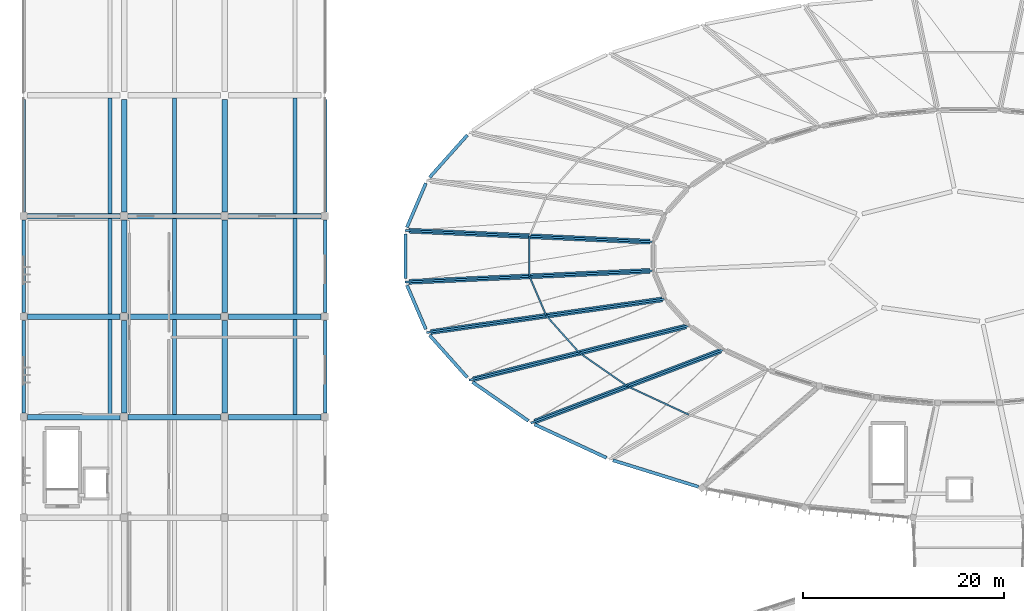
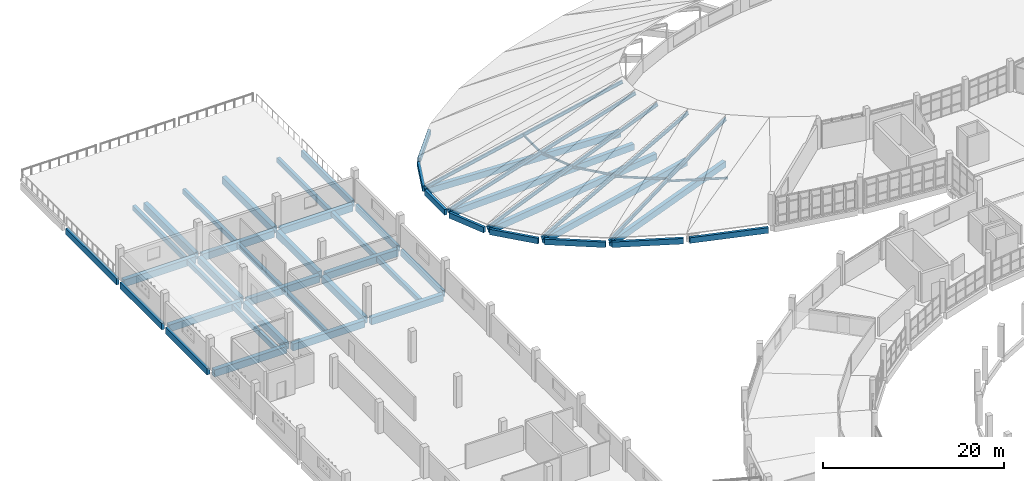
# One storey, part 24 of 142: 43 beams, 10 members.
"""IFC4 building model written with IfcOpenShell, lengths in metres."""

from ifc_helpers import new_model, si_unit, direction, frame, origin, origin_2d, place, context, subcontext, project, spatial, rectangle, i_section, extrude, material, material_profile, profile_set, type_object, element, save


model = new_model("IFC4")

# Units and contexts
model_context = context("Model", 3, precision=1e-05, world=origin(), true_north=direction((0.0, 1.0)))
body_context = subcontext(model_context, "Body", "Model", "MODEL_VIEW")
ifc_project = project(units=[si_unit("LENGTHUNIT", "METRE"), si_unit("AREAUNIT", "SQUARE_METRE"), si_unit("VOLUMEUNIT", "CUBIC_METRE"), si_unit("PLANEANGLEUNIT", "RADIAN"), si_unit("MASSUNIT", "GRAM", prefix="KILO")], contexts=[model_context])

# Site, building, storey
site_placement = place(None, origin())
site = spatial("IfcSite", under=ifc_project, at=site_placement, CompositionType="ELEMENT")
building_placement = place(site_placement, origin())
building = spatial("IfcBuilding", under=site, at=building_placement, Name="Corvandel Quay Wholesale Market", CompositionType="ELEMENT")
storey_placement = place(building_placement, frame((0.0, 0.0, 10.800048828125)))
storey = spatial("IfcBuildingStorey", under=building, at=storey_placement, Name="L02", CompositionType="ELEMENT", Elevation=10.800048828125)

# Beams
ifc_material_1 = material(Name="Precast concrete C45/55", Category="concrete")
ifc_material_profile_1 = material_profile(ifc_material_1, rectangle(XDim=0.550048828125, YDim=0.949951171875, at=origin_2d()), Name="PC-GIR-550x950")
ifc_profile_set_1 = profile_set([ifc_material_profile_1], Name="Precast concrete C45/55")
beam_type_1 = type_object("IfcBeamType", Name="Cold Store Floor Girder G02 550x950", PredefinedType="USERDEFINED", material=ifc_profile_set_1)
for number, where, z_axis, x_axis, name in (
    (1, (20.39501953125, 100.0, -0.795166015625), (1.0, 0.0, 0.0), (0.0, 1.0, 0.0), "Beam BM-1176"),
    (2, (30.39501953125, 100.0, -0.795166015625), (1.0, 0.0, 0.0), (0.0, 1.0, 0.0), "Beam BM-1177"),
    (3, (40.39501953125, 100.0, -0.795166015625), (1.0, 0.0, 0.0), (0.0, 1.0, 0.0), "Beam BM-1178"),
    (4, (20.39501953125, 110.0, -0.795166015625), (1.0, 0.0, 0.0), (0.0, 1.0, 0.0), "Beam BM-1179"),
    (5, (30.39501953125, 110.0, -0.795166015625), (1.0, 0.0, 0.0), (0.0, 1.0, 0.0), "Beam BM-1180"),
    (6, (40.39501953125, 110.0, -0.795166015625), (1.0, 0.0, 0.0), (0.0, 1.0, 0.0), "Beam BM-1181"),
    (7, (20.39501953125, 120.0, -0.795166015625), (1.0, 0.0, 0.0), (0.0, 1.0, 0.0), "Beam BM-1182"),
    (8, (30.39501953125, 120.0, -0.795166015625), (1.0, 0.0, 0.0), (0.0, 1.0, 0.0), "Beam BM-1183"),
    (9, (40.39501953125, 120.0, -0.795166015625), (1.0, 0.0, 0.0), (0.0, 1.0, 0.0), "Beam BM-1184"),
    (10, (30.0, 100.39501953125, -0.795166015625), (0.0, 1.0, 0.0), (-1.0, 0.0, 0.0), "Beam BM-1213"),
    (11, (30.0, 110.39501953125, -0.795166015625), (0.0, 1.0, 0.0), (-1.0, 0.0, 0.0), "Beam BM-1214"),
):
    element("IfcBeam", number, at=place(storey_placement, frame(where, z_axis=z_axis, x_axis=x_axis)), inside=storey, type_object=beam_type_1, Name=name, ObjectType="GIRDER", PredefinedType="USERDEFINED", context=body_context, shape_type="SweptSolid", body=[
        extrude(rectangle(XDim=0.550048828125, YDim=0.949951171875, at=origin_2d()), origin(), (0.0, 0.0, 1.0), 9.2099609375),
    ])
beam_1_placement = place(storey_placement, frame((30.0, 120.39501953125, -0.795166015625), z_axis=(0.0, 1.0, 0.0), x_axis=(-1.0, 0.0, 0.0)))
element("IfcBeam", 12, at=beam_1_placement, inside=storey, type_object=beam_type_1, Name="Beam BM-1215", ObjectType="GIRDER", PredefinedType="USERDEFINED", context=body_context, shape_type="SweptSolid", body=[
    extrude(rectangle(XDim=0.550048828125, YDim=0.949951171875, at=origin_2d()), origin(), (0.0, 0.0, 1.0), 11.2099609375),
])
for number, where, z_axis, x_axis, name in (
    (13, (40.0, 100.39501953125, -0.795166015625), (0.0, 1.0, 0.0), (-1.0, 0.0, 0.0), "Beam BM-1226"),
    (14, (40.0, 110.39501953125, -0.795166015625), (0.0, 1.0, 0.0), (-1.0, 0.0, 0.0), "Beam BM-1227"),
):
    element("IfcBeam", number, at=place(storey_placement, frame(where, z_axis=z_axis, x_axis=x_axis)), inside=storey, type_object=beam_type_1, Name=name, ObjectType="GIRDER", PredefinedType="USERDEFINED", context=body_context, shape_type="SweptSolid", body=[
        extrude(rectangle(XDim=0.550048828125, YDim=0.949951171875, at=origin_2d()), origin(), (0.0, 0.0, 1.0), 9.2099609375),
    ])
beam_2_placement = place(storey_placement, frame((40.0, 120.39501953125, -0.795166015625), z_axis=(0.0, 1.0, 0.0), x_axis=(-1.0, 0.0, 0.0)))
element("IfcBeam", 15, at=beam_2_placement, inside=storey, type_object=beam_type_1, Name="Beam BM-1228", ObjectType="GIRDER", PredefinedType="USERDEFINED", context=body_context, shape_type="SweptSolid", body=[
    extrude(rectangle(XDim=0.550048828125, YDim=0.949951171875, at=origin_2d()), origin(), (0.0, 0.0, 1.0), 11.2099609375),
])
ifc_material_profile_2 = material_profile(ifc_material_1, rectangle(XDim=0.39990234375, YDim=0.64990234375, at=origin_2d()), Name="PC-BM-400x650")
ifc_profile_set_2 = profile_set([ifc_material_profile_2], Name="Precast concrete C45/55")
beam_type_2 = type_object("IfcBeamType", Name="Cold Store Secondary Beam B01 400x650", PredefinedType="BEAM", material=ifc_profile_set_2)
for number, where, z_axis, x_axis, name in (
    (16, (28.60009765625, 100.264892578125, -0.64501953125), (0.0, 1.0, 0.0), (-1.0, 0.0, 0.0), "Beam BM-1252"),
    (17, (28.60009765625, 110.264892578125, -0.64501953125), (0.0, 1.0, 0.0), (-1.0, 0.0, 0.0), "Beam BM-1253"),
):
    element("IfcBeam", number, at=place(storey_placement, frame(where, z_axis=z_axis, x_axis=x_axis)), inside=storey, type_object=beam_type_2, Name=name, PredefinedType="BEAM", context=body_context, shape_type="SweptSolid", body=[
        extrude(rectangle(XDim=0.39990234375, YDim=0.64990234375, at=origin_2d()), origin(), (0.0, 0.0, 1.0), 9.47021484375),
    ])
beam_3_placement = place(storey_placement, frame((28.60009765625, 120.264892578125, -0.64501953125), z_axis=(0.0, 1.0, 0.0), x_axis=(-1.0, 0.0, 0.0)))
element("IfcBeam", 18, at=beam_3_placement, inside=storey, type_object=beam_type_2, Name="Beam BM-1254", PredefinedType="BEAM", context=body_context, shape_type="SweptSolid", body=[
    extrude(rectangle(XDim=0.39990234375, YDim=0.64990234375, at=origin_2d()), origin(), (0.0, 0.0, 1.0), 11.47021484375),
])
for number, where, z_axis, x_axis, name in (
    (19, (35.0, 100.264892578125, -0.64501953125), (0.0, 1.0, 0.0), (-1.0, 0.0, 0.0), "Beam BM-1265"),
    (20, (35.0, 110.264892578125, -0.64501953125), (0.0, 1.0, 0.0), (-1.0, 0.0, 0.0), "Beam BM-1266"),
):
    element("IfcBeam", number, at=place(storey_placement, frame(where, z_axis=z_axis, x_axis=x_axis)), inside=storey, type_object=beam_type_2, Name=name, PredefinedType="BEAM", context=body_context, shape_type="SweptSolid", body=[
        extrude(rectangle(XDim=0.39990234375, YDim=0.64990234375, at=origin_2d()), origin(), (0.0, 0.0, 1.0), 9.47021484375),
    ])
beam_4_placement = place(storey_placement, frame((35.0, 120.264892578125, -0.64501953125), z_axis=(0.0, 1.0, 0.0), x_axis=(-1.0, 0.0, 0.0)))
element("IfcBeam", 21, at=beam_4_placement, inside=storey, type_object=beam_type_2, Name="Beam BM-1267", PredefinedType="BEAM", context=body_context, shape_type="SweptSolid", body=[
    extrude(rectangle(XDim=0.39990234375, YDim=0.64990234375, at=origin_2d()), origin(), (0.0, 0.0, 1.0), 11.47021484375),
])
for number, where, z_axis, x_axis, name in (
    (22, (47.0, 100.264892578125, -0.64501953125), (0.0, 1.0, 0.0), (-1.0, 0.0, 0.0), "Beam BM-1278"),
    (23, (47.0, 110.264892578125, -0.64501953125), (0.0, 1.0, 0.0), (-1.0, 0.0, 0.0), "Beam BM-1279"),
):
    element("IfcBeam", number, at=place(storey_placement, frame(where, z_axis=z_axis, x_axis=x_axis)), inside=storey, type_object=beam_type_2, Name=name, PredefinedType="BEAM", context=body_context, shape_type="SweptSolid", body=[
        extrude(rectangle(XDim=0.39990234375, YDim=0.64990234375, at=origin_2d()), origin(), (0.0, 0.0, 1.0), 9.47021484375),
    ])
beam_5_placement = place(storey_placement, frame((47.0, 120.264892578125, -0.64501953125), z_axis=(0.0, 1.0, 0.0), x_axis=(-1.0, 0.0, 0.0)))
element("IfcBeam", 24, at=beam_5_placement, inside=storey, type_object=beam_type_2, Name="Beam BM-1280", PredefinedType="BEAM", context=body_context, shape_type="SweptSolid", body=[
    extrude(rectangle(XDim=0.39990234375, YDim=0.64990234375, at=origin_2d()), origin(), (0.0, 0.0, 1.0), 11.47021484375),
])
ifc_material_profile_3 = material_profile(ifc_material_1, rectangle(XDim=0.5, YDim=0.85009765625, at=origin_2d()), Name="PC-GIR-500x850")
ifc_profile_set_3 = profile_set([ifc_material_profile_3], Name="Precast concrete C45/55")
beam_type_3 = type_object("IfcBeamType", Name="Fish Hall Radial Girder G04 500x850", PredefinedType="USERDEFINED", material=ifc_profile_set_3)
for number, where, z_axis, x_axis, name in (
    (25, (58.344482421875, 118.545166015625, -0.7451171875), (0.998955516786, -0.04569327612, 0.0), (0.04569327612, 0.998955516786, 0.0), "Beam BM-0631"),
    (26, (58.344482421875, 113.454833984375, -0.7451171875), (0.998955516786, 0.04569327612, 0.0), (-0.04569327612, 0.998955516786, 0.0), "Beam BM-0638"),
):
    element("IfcBeam", number, at=place(storey_placement, frame(where, z_axis=z_axis, x_axis=x_axis)), inside=storey, type_object=beam_type_3, Name=name, ObjectType="GIRDER", PredefinedType="USERDEFINED", context=body_context, shape_type="SweptSolid", body=[
        extrude(rectangle(XDim=0.5, YDim=0.85009765625, at=origin_2d()), origin(), (0.0, 0.0, 1.0), 24.0009765625),
    ])
beam_6_placement = place(storey_placement, frame((60.49365234375, 108.464111328125, -0.7451171875), z_axis=(0.990225913062, 0.139472725293, 0.0), x_axis=(-0.139472725293, 0.990225913062, 0.0)))
element("IfcBeam", 27, at=beam_6_placement, inside=storey, type_object=beam_type_3, Name="Beam BM-0645", ObjectType="GIRDER", PredefinedType="USERDEFINED", context=body_context, shape_type="SweptSolid", body=[
    extrude(rectangle(XDim=0.5, YDim=0.85009765625, at=origin_2d()), origin(), (0.0, 0.0, 1.0), 23.26171875),
])
beam_7_placement = place(storey_placement, frame((64.707763671875, 103.76708984375, -0.7451171875), z_axis=(0.970560046858, 0.240859285566, 0.0), x_axis=(-0.240859285566, 0.970560046858, 0.0)))
element("IfcBeam", 28, at=beam_7_placement, inside=storey, type_object=beam_type_3, Name="Beam BM-0652", ObjectType="GIRDER", PredefinedType="USERDEFINED", context=body_context, shape_type="SweptSolid", body=[
    extrude(rectangle(XDim=0.5, YDim=0.85009765625, at=origin_2d()), origin(), (0.0, 0.0, 1.0), 21.83349609375),
])
beam_8_placement = place(storey_placement, frame((70.824462890625, 99.548828125, -0.7451171875), z_axis=(0.934456894514, 0.356076273142, 0.0), x_axis=(-0.356076273142, 0.934456894514, 0.0)))
element("IfcBeam", 29, at=beam_8_placement, inside=storey, type_object=beam_type_3, Name="Beam BM-0659", ObjectType="GIRDER", PredefinedType="USERDEFINED", context=body_context, shape_type="SweptSolid", body=[
    extrude(rectangle(XDim=0.5, YDim=0.85009765625, at=origin_2d()), origin(), (0.0, 0.0, 1.0), 19.81640625),
])
ifc_material_profile_4 = material_profile(ifc_material_1, rectangle(XDim=0.320068359375, YDim=0.75, at=origin_2d()), Name="PC-SPN-320x750")
ifc_profile_set_4 = profile_set([ifc_material_profile_4], Name="Precast concrete C45/55")
beam_type_4 = type_object("IfcBeamType", Name="Pavilion Precast Spandrel SP02 320x750", PredefinedType="SPANDREL", material=ifc_profile_set_4)
beam_9_placement = place(storey_placement, frame((64.143310546875, 128.05859375, -0.695068359375), z_axis=(-0.665671423717, -0.746244970266, 0.0), x_axis=(0.746244970266, -0.665671423717, 0.0)))
element("IfcBeam", 30, at=beam_9_placement, inside=storey, type_object=beam_type_4, Name="Beam BM-0615", PredefinedType="SPANDREL", context=body_context, shape_type="SweptSolid", body=[
    extrude(rectangle(XDim=0.320068359375, YDim=0.75, at=origin_2d()), origin(), (0.0, 0.0, 1.0), 5.651123046875),
])
beam_10_placement = place(storey_placement, frame((60.01611328125, 123.266845703125, -0.695068359375), z_axis=(-0.393789694197, -0.919200563938, 0.0), x_axis=(0.919200563938, -0.393789694197, 0.0)))
element("IfcBeam", 31, at=beam_10_placement, inside=storey, type_object=beam_type_4, Name="Beam BM-0622", PredefinedType="SPANDREL", context=body_context, shape_type="SweptSolid", body=[
    extrude(rectangle(XDim=0.320068359375, YDim=0.75, at=origin_2d()), origin(), (0.0, 0.0, 1.0), 4.7744140625),
])
beam_11_placement = place(storey_placement, frame((58.0, 118.216064453125, -0.695068359375), z_axis=(0.0, -1.0, 0.0), x_axis=(1.0, 0.0, 0.0)))
element("IfcBeam", 32, at=beam_11_placement, inside=storey, type_object=beam_type_4, Name="Beam BM-0629", PredefinedType="SPANDREL", context=body_context, shape_type="SweptSolid", body=[
    extrude(rectangle(XDim=0.320068359375, YDim=0.75, at=origin_2d()), origin(), (0.0, 0.0, 1.0), 4.43212890625),
])
beam_12_placement = place(storey_placement, frame((58.135986328125, 113.121826171875, -0.695068359375), z_axis=(0.393789694197, -0.919200563938, 0.0), x_axis=(0.919200563938, 0.393789694197, 0.0)))
element("IfcBeam", 33, at=beam_12_placement, inside=storey, type_object=beam_type_4, Name="Beam BM-0636", PredefinedType="SPANDREL", context=body_context, shape_type="SweptSolid", body=[
    extrude(rectangle(XDim=0.320068359375, YDim=0.75, at=origin_2d()), origin(), (0.0, 0.0, 1.0), 4.7744140625),
])
beam_13_placement = place(storey_placement, frame((60.381591796875, 108.158447265625, -0.695068359375), z_axis=(0.665671423717, -0.746244970266, 0.0), x_axis=(0.746244970266, 0.665671423717, 0.0)))
element("IfcBeam", 34, at=beam_13_placement, inside=storey, type_object=beam_type_4, Name="Beam BM-0643", PredefinedType="SPANDREL", context=body_context, shape_type="SweptSolid", body=[
    extrude(rectangle(XDim=0.320068359375, YDim=0.75, at=origin_2d()), origin(), (0.0, 0.0, 1.0), 5.651123046875),
])
beam_14_placement = place(storey_placement, frame((64.65625, 103.4873046875, -0.695068359375), z_axis=(0.821255489916, -0.570560619289, 0.0), x_axis=(0.570560619289, 0.821255489916, 0.0)))
element("IfcBeam", 35, at=beam_14_placement, inside=storey, type_object=beam_type_4, Name="Beam BM-0650", PredefinedType="SPANDREL", context=body_context, shape_type="SweptSolid", body=[
    extrude(rectangle(XDim=0.320068359375, YDim=0.75, at=origin_2d()), origin(), (0.0, 0.0, 1.0), 6.773193359375),
])
beam_15_placement = place(storey_placement, frame((70.81494140625, 99.28076171875, -0.695068359375), z_axis=(0.906974018607, -0.421186573351, 0.0), x_axis=(0.421186573351, 0.906974018607, 0.0)))
element("IfcBeam", 36, at=beam_15_placement, inside=storey, type_object=beam_type_4, Name="Beam BM-0657", PredefinedType="SPANDREL", context=body_context, shape_type="SweptSolid", body=[
    extrude(rectangle(XDim=0.320068359375, YDim=0.75, at=origin_2d()), origin(), (0.0, 0.0, 1.0), 7.909912109375),
])
beam_16_placement = place(storey_placement, frame((78.631591796875, 95.701904296875, -0.695068359375), z_axis=(0.95510610539, -0.296263948949, 0.0), x_axis=(0.296263948949, 0.95510610539, 0.0)))
element("IfcBeam", 37, at=beam_16_placement, inside=storey, type_object=beam_type_4, Name="Beam BM-0664", PredefinedType="SPANDREL", context=body_context, shape_type="SweptSolid", body=[
    extrude(rectangle(XDim=0.320068359375, YDim=0.75, at=origin_2d()), origin(), (0.0, 0.0, 1.0), 8.9130859375),
])
ifc_material_profile_5 = material_profile(ifc_material_1, rectangle(XDim=0.35009765625, YDim=0.85009765625, at=origin_2d()), Name="PC-SPN-350x850")
ifc_profile_set_5 = profile_set([ifc_material_profile_5], Name="Precast concrete C45/55")
beam_type_5 = type_object("IfcBeamType", Name="Perimeter Precast Spandrel SP01 350x850", PredefinedType="SPANDREL", material=ifc_profile_set_5)
for number, where, z_axis, x_axis, name in (
    (38, (20.0, 100.39501953125, -0.7451171875), (0.0, 1.0, 0.0), (-1.0, 0.0, 0.0), "Beam BM-1200"),
    (39, (20.0, 110.39501953125, -0.7451171875), (0.0, 1.0, 0.0), (-1.0, 0.0, 0.0), "Beam BM-1201"),
):
    element("IfcBeam", number, at=place(storey_placement, frame(where, z_axis=z_axis, x_axis=x_axis)), inside=storey, type_object=beam_type_5, Name=name, PredefinedType="SPANDREL", context=body_context, shape_type="SweptSolid", body=[
        extrude(rectangle(XDim=0.35009765625, YDim=0.85009765625, at=origin_2d()), origin(), (0.0, 0.0, 1.0), 9.2099609375),
    ])
beam_17_placement = place(storey_placement, frame((20.0, 120.39501953125, -0.7451171875), z_axis=(0.0, 1.0, 0.0), x_axis=(-1.0, 0.0, 0.0)))
element("IfcBeam", 40, at=beam_17_placement, inside=storey, type_object=beam_type_5, Name="Beam BM-1202", PredefinedType="SPANDREL", context=body_context, shape_type="SweptSolid", body=[
    extrude(rectangle(XDim=0.35009765625, YDim=0.85009765625, at=origin_2d()), origin(), (0.0, 0.0, 1.0), 11.2099609375),
])
for number, where, z_axis, x_axis, name in (
    (41, (50.0, 100.39501953125, -0.7451171875), (0.0, 1.0, 0.0), (-1.0, 0.0, 0.0), "Beam BM-1239"),
    (42, (50.0, 110.39501953125, -0.7451171875), (0.0, 1.0, 0.0), (-1.0, 0.0, 0.0), "Beam BM-1240"),
):
    element("IfcBeam", number, at=place(storey_placement, frame(where, z_axis=z_axis, x_axis=x_axis)), inside=storey, type_object=beam_type_5, Name=name, PredefinedType="SPANDREL", context=body_context, shape_type="SweptSolid", body=[
        extrude(rectangle(XDim=0.35009765625, YDim=0.85009765625, at=origin_2d()), origin(), (0.0, 0.0, 1.0), 9.2099609375),
    ])
beam_18_placement = place(storey_placement, frame((50.0, 120.39501953125, -0.7451171875), z_axis=(0.0, 1.0, 0.0), x_axis=(-1.0, 0.0, 0.0)))
element("IfcBeam", 43, at=beam_18_placement, inside=storey, type_object=beam_type_5, Name="Beam BM-1241", PredefinedType="SPANDREL", context=body_context, shape_type="SweptSolid", body=[
    extrude(rectangle(XDim=0.35009765625, YDim=0.85009765625, at=origin_2d()), origin(), (0.0, 0.0, 1.0), 11.2099609375),
])

# Members
ifc_material_2 = material(Name="Steel A992 Grade 50", Category="steel")
ifc_material_profile_6 = material_profile(ifc_material_2, i_section(OverallWidth=0.14697265625, OverallDepth=0.261962890625, WebThickness=0.006591796875, FlangeThickness=0.01123046875, at=origin_2d()), Name="W10X26")
ifc_profile_set_6 = profile_set([ifc_material_profile_6], Name="Steel A992 Grade 50")
member_type_1 = type_object("IfcMemberType", Name="Roof Clerestory Purlin Rafter RF03 W10X26", PredefinedType="RAFTER", material=ifc_profile_set_6)
member_1_placement = place(storey_placement, frame((70.320068359375, 117.99755859375, 2.823974609375), z_axis=(0.0, -1.0, 0.0), x_axis=(1.0, 0.0, 0.0)))
element("IfcMember", 44, at=member_1_placement, inside=storey, type_object=member_type_1, Name="Member MEM-0030", PredefinedType="RAFTER", context=body_context, shape_type="SweptSolid", body=[
    extrude(i_section(OverallWidth=0.14697265625, OverallDepth=0.261962890625, WebThickness=0.006591796875, FlangeThickness=0.01123046875, at=origin_2d()), origin(), (0.0, 0.0, 1.0), 3.9951171875),
])
member_2_placement = place(storey_placement, frame((70.320068359375, 114.00244140625, 2.823974609375), z_axis=(0.393787949611, -0.919201311325, 0.0), x_axis=(0.919201311325, 0.393787949611, 0.0)))
element("IfcMember", 45, at=member_2_placement, inside=storey, type_object=member_type_1, Name="Member MEM-0033", PredefinedType="RAFTER", context=body_context, shape_type="SweptSolid", body=[
    extrude(i_section(OverallWidth=0.14697265625, OverallDepth=0.261962890625, WebThickness=0.006591796875, FlangeThickness=0.01123046875, at=origin_2d()), origin(), (0.0, 0.0, 1.0), 4.262451171875),
])
member_3_placement = place(storey_placement, frame((71.99853515625, 110.08447265625, 2.724853515625), z_axis=(0.665680230442, -0.746237114327, 0.0), x_axis=(0.746237114327, 0.665680230442, 0.0)))
element("IfcMember", 46, at=member_3_placement, inside=storey, type_object=member_type_1, Name="Member MEM-0036", PredefinedType="RAFTER", context=body_context, shape_type="SweptSolid", body=[
    extrude(i_section(OverallWidth=0.14697265625, OverallDepth=0.261962890625, WebThickness=0.006591796875, FlangeThickness=0.01123046875, at=origin_2d()), origin(), (0.0, 0.0, 1.0), 4.946044921875),
])
member_4_placement = place(storey_placement, frame((75.291015625, 106.3935546875, 2.533935546875), z_axis=(0.821270064724, -0.57053963998, 0.0), x_axis=(0.57053963998, 0.821270064724, 0.0)))
element("IfcMember", 47, at=member_4_placement, inside=storey, type_object=member_type_1, Name="Member MEM-0039", PredefinedType="RAFTER", context=body_context, shape_type="SweptSolid", body=[
    extrude(i_section(OverallWidth=0.14697265625, OverallDepth=0.261962890625, WebThickness=0.006591796875, FlangeThickness=0.01123046875, at=origin_2d()), origin(), (0.0, 0.0, 1.0), 5.82080078125),
])
member_5_placement = place(storey_placement, frame((80.071533203125, 103.072509765625, 2.263916015625), z_axis=(0.906995065636, -0.421141248173, 0.0), x_axis=(0.421141248173, 0.906995065636, 0.0)))
element("IfcMember", 48, at=member_5_placement, inside=storey, type_object=member_type_1, Name="Member MEM-0042", PredefinedType="RAFTER", context=body_context, shape_type="SweptSolid", body=[
    extrude(i_section(OverallWidth=0.14697265625, OverallDepth=0.261962890625, WebThickness=0.006591796875, FlangeThickness=0.01123046875, at=origin_2d()), origin(), (0.0, 0.0, 1.0), 6.707763671875),
])
ifc_material_profile_7 = material_profile(ifc_material_2, i_section(OverallWidth=0.19091796875, OverallDepth=0.4599609375, WebThickness=0.010009765625, FlangeThickness=0.01611328125, at=origin_2d()), Name="W18X55")
ifc_profile_set_7 = profile_set([ifc_material_profile_7], Name="Steel A992 Grade 50")
member_type_2 = type_object("IfcMemberType", Name="Sawtooth Clerestory Rafter RF02 W18X55", PredefinedType="RAFTER", material=ifc_profile_set_7)
member_6_placement = place(storey_placement, frame((58.0, 118.56103515625, -0.340087890625), z_axis=(0.966830296443, -0.044219852845, 0.251562681046), x_axis=(0.045689170496, 0.998955704573, 0.0)))
element("IfcMember", 49, at=member_6_placement, inside=storey, type_object=member_type_2, Name="Member MEM-0028", PredefinedType="RAFTER", context=body_context, shape_type="SweptSolid", body=[
    extrude(i_section(OverallWidth=0.19091796875, OverallDepth=0.4599609375, WebThickness=0.010009765625, FlangeThickness=0.01611328125, at=origin_2d()), origin(), (0.0, 0.0, 1.0), 25.4853515625),
])
member_7_placement = place(storey_placement, frame((58.0, 113.43896484375, -0.340087890625), z_axis=(0.964917215632, 0.044132354395, 0.258818666776), x_axis=(-0.045689170496, 0.998955704573, 0.0)))
element("IfcMember", 50, at=member_7_placement, inside=storey, type_object=member_type_2, Name="Member MEM-0031", PredefinedType="RAFTER", context=body_context, shape_type="SweptSolid", body=[
    extrude(i_section(OverallWidth=0.19091796875, OverallDepth=0.4599609375, WebThickness=0.010009765625, FlangeThickness=0.01611328125, at=origin_2d()), origin(), (0.0, 0.0, 1.0), 25.53564453125),
])
member_8_placement = place(storey_placement, frame((60.152099609375, 108.416015625, -0.340087890625), z_axis=(0.956486049024, 0.134711902789, 0.258818742116), x_axis=(-0.139464012453, 0.990227140221, 0.0)))
element("IfcMember", 51, at=member_8_placement, inside=storey, type_object=member_type_2, Name="Member MEM-0034", PredefinedType="RAFTER", context=body_context, shape_type="SweptSolid", body=[
    extrude(i_section(OverallWidth=0.19091796875, OverallDepth=0.4599609375, WebThickness=0.010009765625, FlangeThickness=0.01611328125, at=origin_2d()), origin(), (0.0, 0.0, 1.0), 24.770751953125),
])
member_9_placement = place(storey_placement, frame((64.373046875, 103.68408203125, -0.340087890625), z_axis=(0.937492136334, 0.232654018986, 0.258806108433), x_axis=(-0.240860299792, 0.970559795162, 0.0)))
element("IfcMember", 52, at=member_9_placement, inside=storey, type_object=member_type_2, Name="Member MEM-0037", PredefinedType="RAFTER", context=body_context, shape_type="SweptSolid", body=[
    extrude(i_section(OverallWidth=0.19091796875, OverallDepth=0.4599609375, WebThickness=0.010009765625, FlangeThickness=0.01611328125, at=origin_2d()), origin(), (0.0, 0.0, 1.0), 23.291748046875),
])
member_10_placement = place(storey_placement, frame((70.501953125, 99.426025390625, -0.340087890625), z_axis=(0.902616473435, 0.343941619186, 0.258819752868), x_axis=(-0.356074635705, 0.934457518461, 0.0)))
element("IfcMember", 53, at=member_10_placement, inside=storey, type_object=member_type_2, Name="Member MEM-0040", PredefinedType="RAFTER", context=body_context, shape_type="SweptSolid", body=[
    extrude(i_section(OverallWidth=0.19091796875, OverallDepth=0.4599609375, WebThickness=0.010009765625, FlangeThickness=0.01611328125, at=origin_2d()), origin(), (0.0, 0.0, 1.0), 21.2041015625),
])

save(model, "model.ifc")
